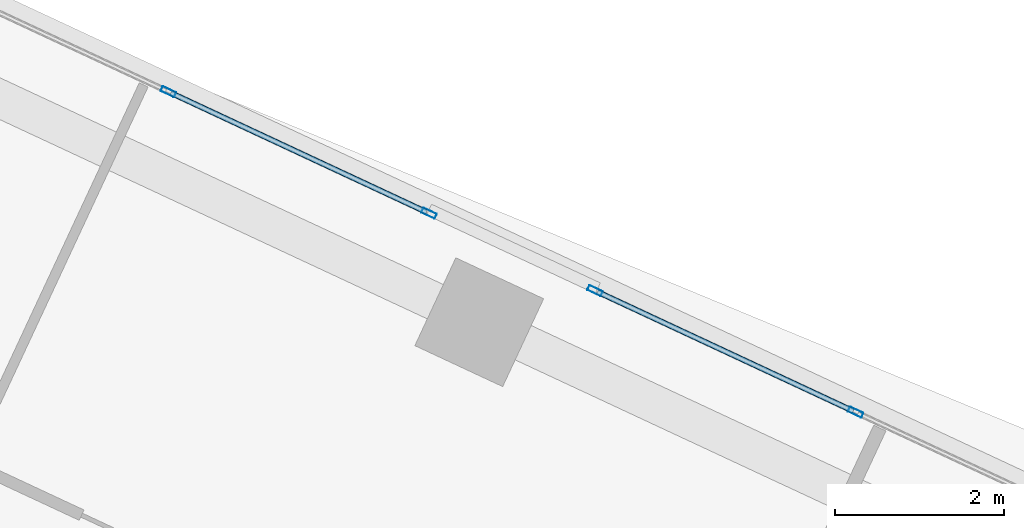
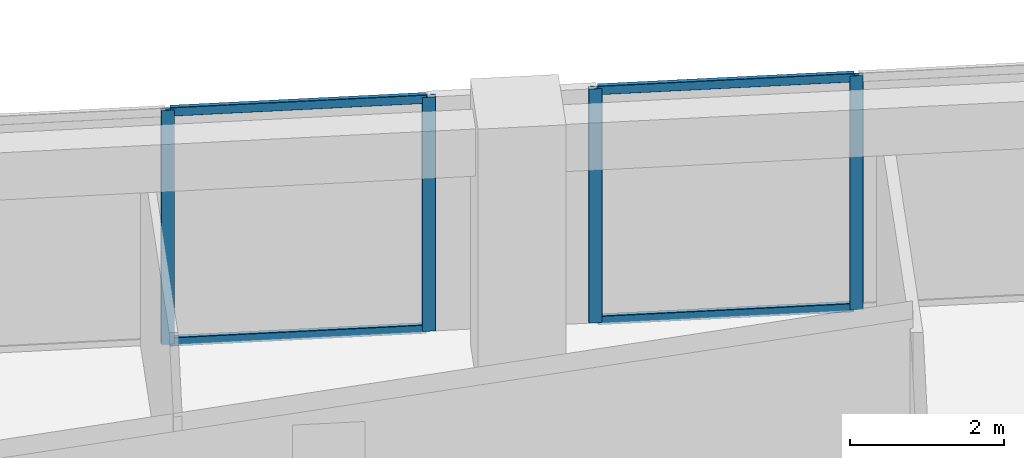
# One storey, part 15 of 23: 8 members, 2 elements without a shape of their own.
"""IFC4 building model written with IfcOpenShell, lengths in metres."""

from ifc_helpers import new_model, si_unit, direction, frame, origin, origin_2d, place, context, subcontext, project, spatial, hollow_rectangle, extrude, source, transform, mapped, material, material_profile, profile_set, type_object, element, aggregate, save


model = new_model("IFC4")

# Units and contexts
model_context = context("Model", 3, precision=1e-05, world=origin(), true_north=direction((0.0, 1.0)))
body_context = subcontext(model_context, "Body", "Model", "MODEL_VIEW")
ifc_project = project(units=[si_unit("LENGTHUNIT", "METRE"), si_unit("AREAUNIT", "SQUARE_METRE"), si_unit("VOLUMEUNIT", "CUBIC_METRE"), si_unit("PLANEANGLEUNIT", "RADIAN"), si_unit("MASSUNIT", "GRAM", prefix="KILO")], contexts=[model_context])

# Site, building, storey
site_placement = place(None, origin())
site = spatial("IfcSite", under=ifc_project, at=site_placement, CompositionType="ELEMENT")
building_placement = place(site_placement, origin())
building = spatial("IfcBuilding", under=site, at=building_placement, Name="Torre Montelarca", CompositionType="ELEMENT")
storey_placement = place(building_placement, frame((0.0, 0.0, 154.0)))
storey = spatial("IfcBuildingStorey", under=building, at=storey_placement, Name="L34", CompositionType="ELEMENT", Elevation=154.0)

# Curtain wall, members
ifc_material_1 = material(Name="Insulated low-E laminated glass", Category="glass")
curtain_wall_type = type_object("IfcCurtainWallType", Name="CW-SYS-Z2", PredefinedType="USERDEFINED", material=ifc_material_1)
curtain_wall_1_placement = place(storey_placement, origin())
curtain_wall_1 = element("IfcCurtainWall", 1, at=curtain_wall_1_placement, inside=storey, type_object=curtain_wall_type, Name="L34 Curtain Wall Run CW-T3-L34-E08-B2", ObjectType="UNITISED GLAZING", PredefinedType="USERDEFINED")
ifc_material_2 = material(Name="Anodised aluminium AA 6063-T6", Category="aluminium")
ifc_material_profile_1 = material_profile(ifc_material_2, hollow_rectangle(XDim=0.06494140625, YDim=0.179931640625, WallThickness=0.00390625, InnerFilletRadius=0.00390625, OuterFilletRadius=0.008056640625, at=origin_2d()), Name="ALU65X180X4", Category="aluminium")
ifc_profile_set_1 = profile_set([ifc_material_profile_1], Name="Anodised aluminium AA 6063-T6")
member_type_1 = type_object("IfcMemberType", Name="CWM-ALU180", PredefinedType="MULLION", material=ifc_profile_set_1)
shared_shape_1 = source(origin(), body_context, "Body", "SweptSolid", [
    extrude(hollow_rectangle(XDim=0.06494140625, YDim=0.179931640625, WallThickness=0.00390625, InnerFilletRadius=0.00390625, OuterFilletRadius=0.008056640625, at=origin_2d()), origin(), (0.0, 0.0, 1.0), 3.719970703125),
])
member_1_placement = place(storey_placement, frame((37.3544921875, 42.338134765625, 0.0), z_axis=(0.0, 0.0, 1.0), x_axis=(-0.422611326824, -0.906311020809, 0.0)))
member_1 = element("IfcMember", 2, at=member_1_placement, type_object=member_type_1, Name="CW mullion 2", PredefinedType="MULLION", context=body_context, shape_type="MappedRepresentation", body=[
    mapped(shared_shape_1, transform((0.0, 0.0, 0.0), scale=1.0)),
])
member_2_placement = place(storey_placement, frame((34.26171875, 43.7802734375, 0.0), z_axis=(0.0, 0.0, 1.0), x_axis=(-0.422611326824, -0.906311020809, 0.0)))
member_2 = element("IfcMember", 3, at=member_2_placement, type_object=member_type_1, Name="CW mullion 3", PredefinedType="MULLION", context=body_context, shape_type="MappedRepresentation", body=[
    mapped(shared_shape_1, transform((0.0, 0.0, 0.0), scale=1.0)),
])

curtain_wall_2_placement = place(storey_placement, origin())
curtain_wall_2 = element("IfcCurtainWall", 4, at=curtain_wall_2_placement, inside=storey, type_object=curtain_wall_type, Name="L34 Curtain Wall Run CW-T3-L34-E08-B3", ObjectType="UNITISED GLAZING", PredefinedType="USERDEFINED")
member_3_placement = place(storey_placement, frame((32.29052734375, 44.699462890625, 0.0), z_axis=(0.0, 0.0, 1.0), x_axis=(-0.422616885917, -0.906308428592, 0.0)))
member_3 = element("IfcMember", 5, at=member_3_placement, type_object=member_type_1, Name="CW mullion 1", PredefinedType="MULLION", context=body_context, shape_type="MappedRepresentation", body=[
    mapped(shared_shape_1, transform((0.0, 0.0, 0.0), scale=1.0)),
])
member_4_placement = place(storey_placement, frame((29.19775390625, 46.1416015625, 0.0), z_axis=(0.0, 0.0, 1.0), x_axis=(-0.422616885917, -0.906308428592, 0.0)))
member_4 = element("IfcMember", 6, at=member_4_placement, type_object=member_type_1, Name="CW mullion 2", PredefinedType="MULLION", context=body_context, shape_type="MappedRepresentation", body=[
    mapped(shared_shape_1, transform((0.0, 0.0, 0.0), scale=1.0)),
])

# Member
ifc_material_profile_2 = material_profile(ifc_material_2, hollow_rectangle(XDim=0.06494140625, YDim=0.139892578125, WallThickness=0.00390625, InnerFilletRadius=0.00390625, OuterFilletRadius=0.008056640625, at=origin_2d()), Name="ALU65X140X4", Category="aluminium")
ifc_profile_set_2 = profile_set([ifc_material_profile_2], Name="Anodised aluminium AA 6063-T6")
member_type_2 = type_object("IfcMemberType", Name="CWT-ALU140", PredefinedType="USERDEFINED", material=ifc_profile_set_2)
shared_shape_2 = source(origin(), body_context, "Body", "SweptSolid", [
    extrude(hollow_rectangle(XDim=0.06494140625, YDim=0.139892578125, WallThickness=0.00390625, InnerFilletRadius=0.00390625, OuterFilletRadius=0.008056640625, at=origin_2d()), origin(), (0.0, 0.0, 1.0), 3.347412109375),
])
member_5_placement = place(storey_placement, frame((37.3251953125, 42.35205078125, 0.032470703125), z_axis=(-0.906330280678, 0.42257002062, 0.0), x_axis=(-0.42257002062, -0.906330280678, 0.0)))
member_5 = element("IfcMember", 7, at=member_5_placement, type_object=member_type_2, Name="CW transom 2.1", ObjectType="TRANSOM", PredefinedType="USERDEFINED", context=body_context, shape_type="MappedRepresentation", body=[
    mapped(shared_shape_2, transform((0.0, 0.0, 0.0), scale=1.0)),
])

member_6_placement = place(storey_placement, frame((37.3251953125, 42.35205078125, 3.6875), z_axis=(-0.906330280678, 0.42257002062, 0.0), x_axis=(-0.42257002062, -0.906330280678, 0.0)))
member_6 = element("IfcMember", 8, at=member_6_placement, type_object=member_type_2, Name="CW transom 2.2", ObjectType="TRANSOM", PredefinedType="USERDEFINED", context=body_context, shape_type="MappedRepresentation", body=[
    mapped(shared_shape_2, transform((0.0, 0.0, 0.0), scale=1.0)),
])

aggregate(curtain_wall_1, [member_1, member_2, member_5, member_6])

shared_shape_3 = source(origin(), body_context, "Body", "SweptSolid", [
    extrude(hollow_rectangle(XDim=0.06494140625, YDim=0.139892578125, WallThickness=0.00390625, InnerFilletRadius=0.00390625, OuterFilletRadius=0.008056640625, at=origin_2d()), origin(), (0.0, 0.0, 1.0), 3.34716796875),
])
member_7_placement = place(storey_placement, frame((32.260986328125, 44.71337890625, 0.032470703125), z_axis=(-0.906317256191, 0.42259795448, 0.0), x_axis=(-0.42259795448, -0.906317256191, 0.0)))
member_7 = element("IfcMember", 9, at=member_7_placement, type_object=member_type_2, Name="CW transom 1.1", ObjectType="TRANSOM", PredefinedType="USERDEFINED", context=body_context, shape_type="MappedRepresentation", body=[
    mapped(shared_shape_3, transform((0.0, 0.0, 0.0), scale=1.0)),
])

member_8_placement = place(storey_placement, frame((32.260986328125, 44.71337890625, 3.6875), z_axis=(-0.906317256191, 0.42259795448, 0.0), x_axis=(-0.42259795448, -0.906317256191, 0.0)))
member_8 = element("IfcMember", 10, at=member_8_placement, type_object=member_type_2, Name="CW transom 1.2", ObjectType="TRANSOM", PredefinedType="USERDEFINED", context=body_context, shape_type="MappedRepresentation", body=[
    mapped(shared_shape_3, transform((0.0, 0.0, 0.0), scale=1.0)),
])

aggregate(curtain_wall_2, [member_3, member_4, member_7, member_8])

save(model, "model.ifc")
